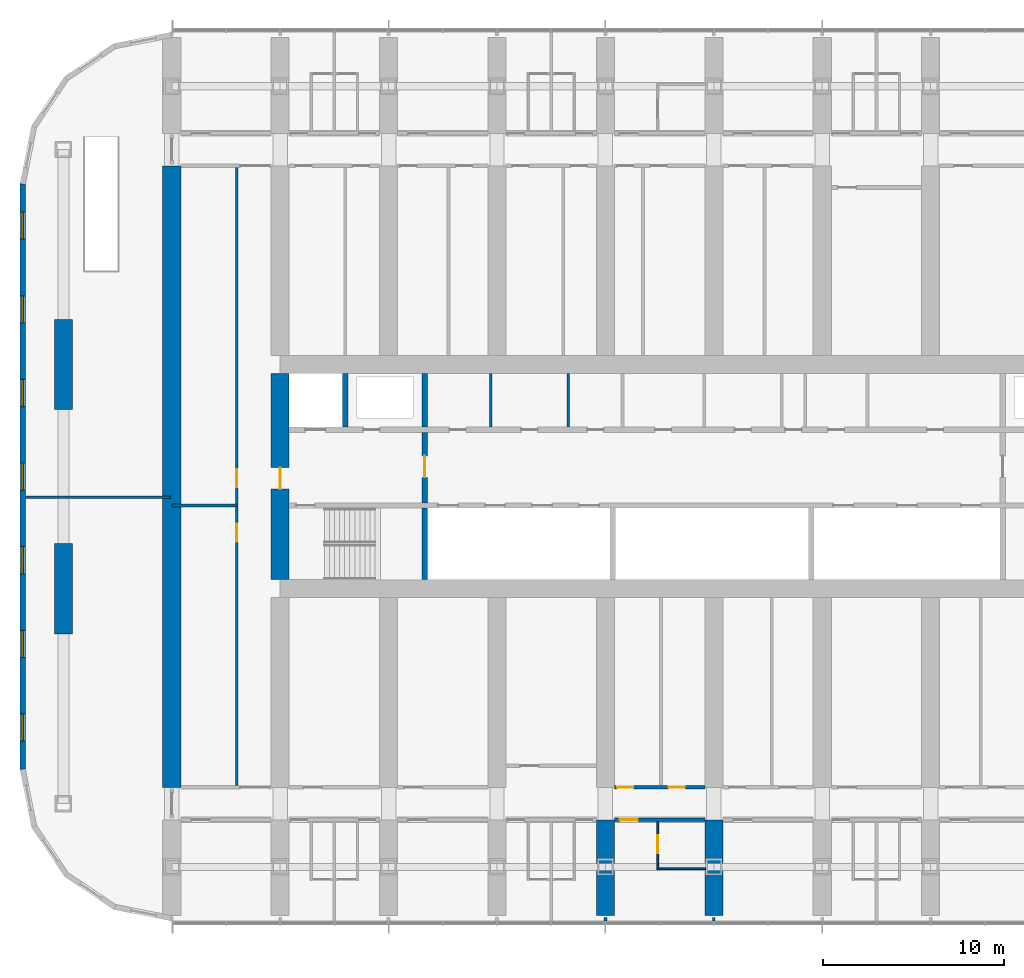
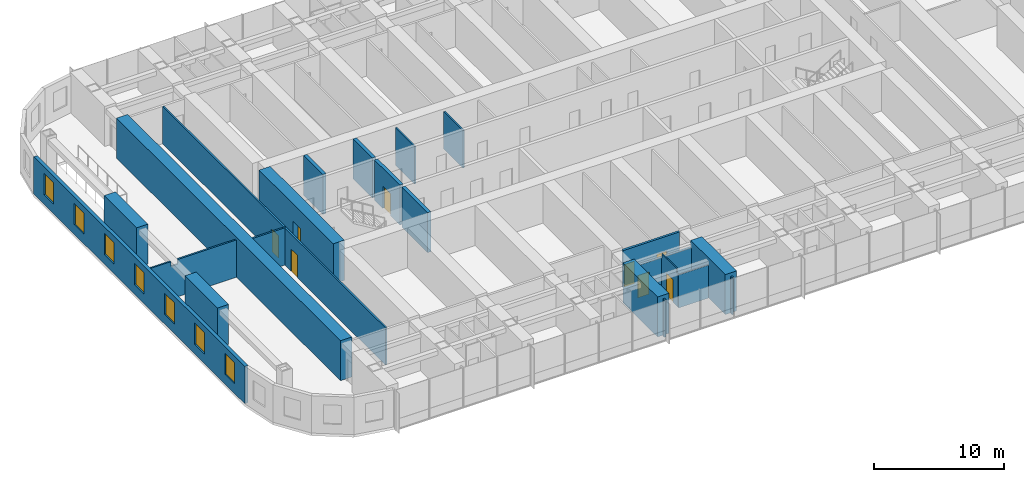
# One storey, part 11 of 22: 22 walls, 8 doors, 7 windows, 15 openings.
"""IFC4 building model written with IfcOpenShell, lengths in metres."""

from ifc_helpers import new_model, si_unit, direction, frame, frame_2d, origin, place, context, subcontext, project, spatial, polyline, rectangle, outline, extrude, material, layer, layer_set, type_object, element, fill, save


model = new_model("IFC4")

# Units and contexts
model_context = context("Model", 3, precision=1e-05, world=origin(), true_north=direction((0.0, 1.0)))
body_context = subcontext(model_context, "Body", "Model", "MODEL_VIEW")
ifc_project = project(units=[si_unit("LENGTHUNIT", "METRE"), si_unit("AREAUNIT", "SQUARE_METRE"), si_unit("VOLUMEUNIT", "CUBIC_METRE"), si_unit("PLANEANGLEUNIT", "RADIAN"), si_unit("MASSUNIT", "GRAM", prefix="KILO")], contexts=[model_context])

# Site, building, storey
site_placement = place(None, origin())
site = spatial("IfcSite", under=ifc_project, at=site_placement, CompositionType="ELEMENT")
building_placement = place(site_placement, origin())
building = spatial("IfcBuilding", under=site, at=building_placement, Name="Orbita Commons", CompositionType="ELEMENT")
storey_placement = place(building_placement, frame((0.0, 0.0, 57.699951171875)))
storey = spatial("IfcBuildingStorey", under=building, at=storey_placement, Name="L14", CompositionType="ELEMENT", Elevation=57.699951171875)

# Wall
ifc_material_1 = material(Name="Concrete C50/60", Category="concrete")
ifc_layer_1 = layer(ifc_material_1, 0.300048828125)
ifc_layer_set_1 = layer_set([ifc_layer_1], Name="Concrete C50/60")
wall_type_1 = type_object("IfcWallType", Name="Core inner wall 300 C50/60", PredefinedType="SHEAR", material=ifc_layer_set_1)
wall_1_placement = place(storey_placement, frame((26.0, 26.300048828125, 0.0), z_axis=(0.0, 0.0, 1.0), x_axis=(0.0, 1.0, 0.0)))
element("IfcWall", 1, at=wall_1_placement, inside=storey, type_object=wall_type_1, Name="Stair S1 wall L14", PredefinedType="SHEAR", context=body_context, shape_type="SweptSolid", body=[
    extrude(rectangle(XDim=3.949951171875, YDim=0.300048828125, at=frame_2d((1.97509765625, 0.0))), origin(), (0.0, 0.0, 1.0), 3.75),
])

# Wall, opening, door
wall_2_placement = place(storey_placement, frame((26.0, 30.550048828125, 0.0), z_axis=(0.0, 0.0, 1.0), x_axis=(0.0, 1.0, 0.0)))
wall_2 = element("IfcWall", 2, at=wall_2_placement, inside=storey, type_object=wall_type_1, Name="Firefighting lobby wall west L14", PredefinedType="SHEAR", context=body_context, shape_type="SweptSolid", body=[
    extrude(rectangle(XDim=3.89990234375, YDim=0.300048828125, at=frame_2d((1.949951171875, 0.0))), origin(), (0.0, 0.0, 1.0), 3.75),
])
opening_1_placement = place(wall_2_placement, frame((1.39990234375, 0.0, 0.0)))
opening_1 = element("IfcOpeningElement", 3, at=opening_1_placement, cuts=wall_2, Name="Opening D04", PredefinedType="OPENING", context=body_context, shape_type="SweptSolid", body=[
    extrude(rectangle(XDim=1.199951171875, YDim=2.10009765625, at=frame_2d((0.60009765625, 1.050048828125))), frame((0.0, 0.159912109375, 0.0), z_axis=(0.0, -1.0, 0.0), x_axis=(1.0, 0.0, 0.0)), (0.0, 0.0, 1.0), 0.320068359375),
])
ifc_material_2 = material(Name="Steel-faced fire door leaf", Category="steel")
door_type_1 = type_object("IfcDoorType", Name="Service door 20 min 1200x2100", OperationType="SINGLE_SWING_LEFT", PredefinedType="DOOR", material=ifc_material_2)
door_1_placement = place(opening_1_placement, origin())
door_1 = element("IfcDoor", 4, at=door_1_placement, inside=storey, type_object=door_type_1, Name="Lift lobby door west", OperationType="SINGLE_SWING_LEFT", OverallHeight=2.10009765625, OverallWidth=1.199951171875, PredefinedType="DOOR", context=body_context, shape_type="SweptSolid", body=[
    extrude(rectangle(XDim=1.199951171875, YDim=2.10009765625, at=frame_2d((0.60009765625, 1.050048828125))), frame((0.0, 0.02490234375, 0.0), z_axis=(0.0, -1.0, 0.0), x_axis=(1.0, 0.0, 0.0)), (0.0, 0.0, 1.0), 0.050048828125),
])
fill(opening_1, door_1)

# Walls
for number, where, z_axis, x_axis, name in (
    (5, (21.60009765625, 34.75, 0.0), (0.0, 0.0, 1.0), (0.0, 1.0, 0.0), "Firefighting lift FL1 shaft wall L14"),
    (6, (26.0, 34.75, 0.0), (0.0, 0.0, 1.0), (0.0, 1.0, 0.0), "Riser wall west L14"),
):
    element("IfcWall", number, at=place(storey_placement, frame(where, z_axis=z_axis, x_axis=x_axis)), inside=storey, type_object=wall_type_1, Name=name, PredefinedType="SHEAR", context=body_context, shape_type="SweptSolid", body=[
        extrude(rectangle(XDim=2.949951171875, YDim=0.300048828125, at=frame_2d((1.47509765625, 0.0))), origin(), (0.0, 0.0, 1.0), 3.75),
    ])
ifc_material_3 = material(Name="Concrete blockwork", Category="masonry")
ifc_layer_2 = layer(ifc_material_3, 0.14990234375)
ifc_layer_set_2 = layer_set([ifc_layer_2], Name="Concrete blockwork")
wall_type_2 = type_object("IfcWallType", Name="Core partition 150 blockwork", PredefinedType="SOLIDWALL", material=ifc_layer_set_2)
for number, where, z_axis, x_axis, name in (
    (7, (29.65087890625, 34.75, 0.0), (0.0, 0.0, 1.0), (0.0, 1.0, 0.0), "Core partition 150 blockwork L14"),
    (8, (33.9462890625, 34.75, 0.0), (0.0, 0.0, 1.0), (0.0, 1.0, 0.0), "Core partition 150 blockwork L14"),
):
    element("IfcWall", number, at=place(storey_placement, frame(where, z_axis=z_axis, x_axis=x_axis)), inside=storey, type_object=wall_type_2, Name=name, PredefinedType="SOLIDWALL", context=body_context, shape_type="SweptSolid", body=[
        extrude(rectangle(XDim=2.949951171875, YDim=0.14990234375, at=frame_2d((1.47509765625, 0.0))), origin(), (0.0, 0.0, 1.0), 3.5),
    ])

# Wall, opening, door
ifc_material_4 = material(Name="Concrete C50/60", Category="concrete")
ifc_layer_3 = layer(ifc_material_4, 1.0)
ifc_layer_set_3 = layer_set([ifc_layer_3], Name="Concrete C50/60")
wall_type_3 = type_object("IfcWallType", Name="Core wall 1000 C50/60", PredefinedType="SHEAR", material=ifc_layer_set_3)
wall_3_placement = place(storey_placement, frame((18.0, 26.300048828125, 0.0), z_axis=(0.0, 0.0, 1.0), x_axis=(0.0, 1.0, 0.0)))
wall_3 = element("IfcWall", 9, at=wall_3_placement, inside=storey, type_object=wall_type_3, Name="Core end wall west L14", PredefinedType="SHEAR", context=body_context, shape_type="SweptSolid", body=[
    extrude(rectangle(XDim=11.39990234375, YDim=1.0, at=frame_2d((5.699951171875, 0.0))), origin(), (0.0, 0.0, 1.0), 3.75),
])
opening_2_placement = place(wall_3_placement, frame((5.0, 0.0, 0.0)))
opening_2 = element("IfcOpeningElement", 10, at=opening_2_placement, cuts=wall_3, Name="Opening D01", PredefinedType="OPENING", context=body_context, shape_type="SweptSolid", body=[
    extrude(rectangle(XDim=1.199951171875, YDim=2.10009765625, at=frame_2d((0.60009765625, 1.050048828125))), frame((0.0, 0.510009765625, 0.0), z_axis=(0.0, -1.0, 0.0), x_axis=(1.0, 0.0, 0.0)), (0.0, 0.0, 1.0), 1.02001953125),
])
ifc_material_5 = material(Name="Steel-faced fire door leaf", Category="steel")
door_type_2 = type_object("IfcDoorType", Name="Fire door 90 min 1200x2100", OperationType="SINGLE_SWING_LEFT", PredefinedType="DOOR", material=ifc_material_5)
door_2_placement = place(opening_2_placement, origin())
door_2 = element("IfcDoor", 11, at=door_2_placement, inside=storey, type_object=door_type_2, Name="Firefighting lobby west door", OperationType="SINGLE_SWING_LEFT", OverallHeight=2.10009765625, OverallWidth=1.199951171875, PredefinedType="DOOR", context=body_context, shape_type="SweptSolid", body=[
    extrude(rectangle(XDim=1.199951171875, YDim=2.10009765625, at=frame_2d((0.60009765625, 1.050048828125))), frame((0.0, 0.02490234375, 0.0), z_axis=(0.0, -1.0, 0.0), x_axis=(1.0, 0.0, 0.0)), (0.0, 0.0, 1.0), 0.050048828125),
])
fill(opening_2, door_2)

ifc_material_6 = material(Name="Concrete blockwork", Category="masonry")
ifc_layer_4 = layer(ifc_material_6, 0.199951171875)
ifc_layer_set_4 = layer_set([ifc_layer_4], Name="Concrete blockwork")
wall_type_4 = type_object("IfcWallType", Name="Corridor wall 200 blockwork", PredefinedType="SOLIDWALL", material=ifc_layer_set_4)
wall_4_placement = place(storey_placement, frame((36.5, 13.0, 0.0), z_axis=(0.0, 0.0, 1.0), x_axis=(1.0, 0.0, 0.0)))
wall_4 = element("IfcWall", 12, at=wall_4_placement, inside=storey, type_object=wall_type_4, Name="Corridor wall 200 blockwork L14", PredefinedType="SOLIDWALL", context=body_context, shape_type="SweptSolid", body=[
    extrude(outline(polyline([(0.0, 0.0), (5.0, 0.0), (5.0, 3.10009765625), (0.0, 3.10009765625), (0.0, 0.0)])), frame((0.0, 0.10009765625, 0.0), z_axis=(0.0, -1.0, 0.0), x_axis=(1.0, 0.0, 0.0)), (0.0, 0.0, 1.0), 0.199951171875),
])
opening_3_placement = place(wall_4_placement, frame((0.300048828125, 0.0, 0.0)))
opening_3 = element("IfcOpeningElement", 13, at=opening_3_placement, cuts=wall_4, Name="Opening D06", PredefinedType="OPENING", context=body_context, shape_type="SweptSolid", body=[
    extrude(rectangle(XDim=1.0, YDim=2.10009765625, at=frame_2d((0.5, 1.050048828125))), frame((0.0, 0.10986328125, 0.0), z_axis=(0.0, -1.0, 0.0), x_axis=(1.0, 0.0, 0.0)), (0.0, 0.0, 1.0), 0.219970703125),
])
ifc_material_7 = material(Name="Steel-faced fire door leaf", Category="steel")
door_type_3 = type_object("IfcDoorType", Name="Corridor door 20 min 1000x2100", OperationType="SINGLE_SWING_LEFT", PredefinedType="DOOR", material=ifc_material_7)
door_3_placement = place(opening_3_placement, origin())
door_3 = element("IfcDoor", 14, at=door_3_placement, inside=storey, type_object=door_type_3, Name="Accessible bedroom L14-S08 door", OperationType="SINGLE_SWING_LEFT", OverallHeight=2.10009765625, OverallWidth=1.0, PredefinedType="DOOR", context=body_context, shape_type="SweptSolid", body=[
    extrude(rectangle(XDim=1.0, YDim=2.10009765625, at=frame_2d((0.5, 1.050048828125))), frame((0.0, 0.02490234375, 0.0), z_axis=(0.0, -1.0, 0.0), x_axis=(1.0, 0.0, 0.0)), (0.0, 0.0, 1.0), 0.050048828125),
])
fill(opening_3, door_3)

# Wall, openings, doors
ifc_material_8 = material(Name="Hollow concrete block 200", Category="concrete")
ifc_layer_5 = layer(ifc_material_8, 0.199951171875)
ifc_layer_set_5 = layer_set([ifc_layer_5], Name="Hollow concrete block 200")
wall_type_5 = type_object("IfcWallType", Name="Corridor wall 200 hollow concrete block", PredefinedType="SOLIDWALL", material=ifc_layer_set_5)
wall_5_placement = place(storey_placement, frame((36.5, 14.800048828125, 0.0), z_axis=(0.0, 0.0, 1.0), x_axis=(1.0, 0.0, 0.0)))
wall_5 = element("IfcWall", 15, at=wall_5_placement, inside=storey, type_object=wall_type_5, Name="Corridor wall 200 hollow concrete block L14", PredefinedType="SOLIDWALL", context=body_context, shape_type="SweptSolid", body=[
    extrude(rectangle(XDim=5.0, YDim=0.199951171875, at=frame_2d((2.5, 0.0))), origin(), (0.0, 0.0, 1.0), 3.5),
])
opening_4_placement = place(wall_5_placement, frame((0.14990234375, 0.0, 0.0)))
opening_4 = element("IfcOpeningElement", 16, at=opening_4_placement, cuts=wall_5, Name="Opening D11", PredefinedType="OPENING", context=body_context, shape_type="SweptSolid", body=[
    extrude(rectangle(XDim=0.89990234375, YDim=2.10009765625, at=frame_2d((0.449951171875, 1.050048828125))), frame((0.0, 0.10986328125, 0.0), z_axis=(0.0, -1.0, 0.0), x_axis=(1.0, 0.0, 0.0)), (0.0, 0.0, 1.0), 0.219970703125),
])
opening_5_placement = place(wall_5_placement, frame((3.0, 0.0, 0.0)))
opening_5 = element("IfcOpeningElement", 17, at=opening_5_placement, cuts=wall_5, Name="Opening D11", PredefinedType="OPENING", context=body_context, shape_type="SweptSolid", body=[
    extrude(rectangle(XDim=0.89990234375, YDim=2.10009765625, at=frame_2d((0.449951171875, 1.050048828125))), frame((0.0, 0.10986328125, 0.0), z_axis=(0.0, -1.0, 0.0), x_axis=(1.0, 0.0, 0.0)), (0.0, 0.0, 1.0), 0.219970703125),
])
ifc_material_9 = material(Name="Steel-faced fire door leaf", Category="steel")
door_type_4 = type_object("IfcDoorType", Name="Corridor door 20 min 900x2100", OperationType="SINGLE_SWING_LEFT", PredefinedType="DOOR", material=ifc_material_9)
door_4_placement = place(opening_4_placement, origin())
door_4 = element("IfcDoor", 18, at=door_4_placement, inside=storey, type_object=door_type_4, Name="Water heater cupboard L14-BDS36n door", OperationType="SINGLE_SWING_LEFT", OverallHeight=2.10009765625, OverallWidth=0.89990234375, PredefinedType="DOOR", context=body_context, shape_type="SweptSolid", body=[
    extrude(rectangle(XDim=0.89990234375, YDim=2.10009765625, at=frame_2d((0.449951171875, 1.050048828125))), frame((0.0, 0.02490234375, 0.0), z_axis=(0.0, -1.0, 0.0), x_axis=(1.0, 0.0, 0.0)), (0.0, 0.0, 1.0), 0.050048828125),
])
fill(opening_4, door_4)
door_5_placement = place(opening_5_placement, origin())
door_5 = element("IfcDoor", 19, at=door_5_placement, inside=storey, type_object=door_type_4, Name="Bicycle repair workshop L14-BDS36 door", OperationType="SINGLE_SWING_LEFT", OverallHeight=2.10009765625, OverallWidth=0.89990234375, PredefinedType="DOOR", context=body_context, shape_type="SweptSolid", body=[
    extrude(rectangle(XDim=0.89990234375, YDim=2.10009765625, at=frame_2d((0.449951171875, 1.050048828125))), frame((0.0, 0.02490234375, 0.0), z_axis=(0.0, -1.0, 0.0), x_axis=(1.0, 0.0, 0.0)), (0.0, 0.0, 1.0), 0.050048828125),
])
fill(opening_5, door_5)

# Walls
ifc_material_10 = material(Name="Concrete C50/60", Category="concrete")
ifc_layer_6 = layer(ifc_material_10, 1.0)
ifc_layer_set_6 = layer_set([ifc_layer_6], Name="Concrete C50/60")
wall_type_6 = type_object("IfcWallType", Name="Cross wall 1000 C50/60", PredefinedType="SHEAR", material=ifc_layer_set_6)
wall_6_placement = place(storey_placement, frame((12.0, 14.800048828125, 0.0), z_axis=(0.0, 0.0, 1.0), x_axis=(0.0, 1.0, 0.0)))
element("IfcWall", 20, at=wall_6_placement, inside=storey, type_object=wall_type_6, Name="Cross wall 3 inner L14", PredefinedType="SHEAR", context=body_context, shape_type="SweptSolid", body=[
    extrude(rectangle(XDim=34.39990234375, YDim=1.0, at=frame_2d((17.199951171875, 0.0))), origin(), (0.0, 0.0, 1.0), 3.75),
])
for number, where, z_axis, x_axis, name in (
    (21, (36.0, 7.699951171875, 0.0), (0.0, 0.0, 1.0), (0.0, 1.0, 0.0), "Cross wall 7 south outer L14"),
    (22, (42.0, 7.699951171875, 0.0), (0.0, 0.0, 1.0), (0.0, 1.0, 0.0), "Cross wall 8 south outer L14"),
):
    element("IfcWall", number, at=place(storey_placement, frame(where, z_axis=z_axis, x_axis=x_axis)), inside=storey, type_object=wall_type_6, Name=name, PredefinedType="SHEAR", context=body_context, shape_type="SweptSolid", body=[
        extrude(rectangle(XDim=5.300048828125, YDim=1.0, at=frame_2d((2.64990234375, 0.0))), origin(), (0.0, 0.0, 1.0), 3.75),
    ])
ifc_material_11 = material(Name="Moisture-resistant plasterboard on steel studs", Category="steel")
ifc_layer_7 = layer(ifc_material_11, 0.10009765625)
ifc_layer_set_7 = layer_set([ifc_layer_7], Name="Moisture-resistant plasterboard on steel studs")
wall_type_7 = type_object("IfcWallType", Name="En-suite partition 100", PredefinedType="PARTITIONING", material=ifc_layer_set_7)
wall_7_placement = place(storey_placement, frame((38.85009765625, 10.300048828125, 0.0), z_axis=(0.0, 0.0, 1.0), x_axis=(1.0, 0.0, 0.0)))
element("IfcWall", 23, at=wall_7_placement, inside=storey, type_object=wall_type_7, Name="En-suite partition 100 L14", PredefinedType="PARTITIONING", context=body_context, shape_type="SweptSolid", body=[
    extrude(outline(polyline([(0.0, 0.0), (2.699951171875, 0.0), (2.699951171875, 3.10009765625), (0.0, 3.10009765625), (0.0, 0.0)])), frame((0.0, 0.050048828125, 0.0), z_axis=(0.0, -1.0, 0.0), x_axis=(1.0, 0.0, 0.0)), (0.0, 0.0, 1.0), 0.10009765625),
])

# Wall, opening, door
wall_8_placement = place(storey_placement, frame((38.89990234375, 10.35009765625, 0.0), z_axis=(0.0, 0.0, 1.0), x_axis=(0.0, 1.0, 0.0)))
wall_8 = element("IfcWall", 24, at=wall_8_placement, inside=storey, type_object=wall_type_7, Name="En-suite partition 100 L14", PredefinedType="PARTITIONING", context=body_context, shape_type="SweptSolid", body=[
    extrude(outline(polyline([(0.0, 0.0), (2.5498046875, 0.0), (2.550048828125, 3.10009765625), (2.501953125, 3.10009765625), (2.5, 3.5), (0.251953125, 3.5), (0.25, 3.10009765625), (0.0, 3.10009765625), (0.0, 0.0)])), frame((0.0, 0.050048828125, 0.0), z_axis=(0.0, -1.0, 0.0), x_axis=(1.0, 0.0, 0.0)), (0.0, 0.0, 1.0), 0.10009765625),
])
opening_6_placement = place(wall_8_placement, frame((0.800048828125, 0.0, 0.0)))
opening_6 = element("IfcOpeningElement", 25, at=opening_6_placement, cuts=wall_8, Name="Opening D13", PredefinedType="OPENING", context=body_context, shape_type="SweptSolid", body=[
    extrude(rectangle(XDim=1.0, YDim=2.10009765625, at=frame_2d((0.5, 1.050048828125))), frame((0.0, 0.06005859375, 0.0), z_axis=(0.0, -1.0, 0.0), x_axis=(1.0, 0.0, 0.0)), (0.0, 0.0, 1.0), 0.1201171875),
])
ifc_material_12 = material(Name="Laminated timber door leaf", Category="wood")
door_type_5 = type_object("IfcDoorType", Name="En-suite door 1000x2100", OperationType="SINGLE_SWING_RIGHT", PredefinedType="DOOR", material=ifc_material_12)
door_6_placement = place(opening_6_placement, origin())
door_6 = element("IfcDoor", 26, at=door_6_placement, inside=storey, type_object=door_type_5, Name="Accessible shower room L14-S08 door", OperationType="SINGLE_SWING_RIGHT", OverallHeight=2.10009765625, OverallWidth=1.0, PredefinedType="DOOR", context=body_context, shape_type="SweptSolid", body=[
    extrude(rectangle(XDim=1.0, YDim=2.10009765625, at=frame_2d((0.5, 1.050048828125))), frame((0.0, 0.02490234375, 0.0), z_axis=(0.0, -1.0, 0.0), x_axis=(1.0, 0.0, 0.0)), (0.0, 0.0, 1.0), 0.050048828125),
])
fill(opening_6, door_6)

# Walls
ifc_material_13 = material(Name="Concrete C50/60", Category="concrete")
ifc_layer_8 = layer(ifc_material_13, 1.0)
ifc_layer_set_8 = layer_set([ifc_layer_8], Name="Concrete C50/60")
wall_type_8 = type_object("IfcWallType", Name="End pier 1000x5000 C50/60", PredefinedType="SHEAR", material=ifc_layer_set_8)
for number, where, z_axis, x_axis, name in (
    (27, (6.0, 23.300048828125, 0.0), (0.0, 0.0, 1.0), (0.0, 1.0, 0.0), "End pier 2/C L14"),
    (28, (6.0, 35.699951171875, 0.0), (0.0, 0.0, 1.0), (0.0, 1.0, 0.0), "End pier 2/D L14"),
):
    element("IfcWall", number, at=place(storey_placement, frame(where, z_axis=z_axis, x_axis=x_axis)), inside=storey, type_object=wall_type_8, Name=name, PredefinedType="SHEAR", context=body_context, shape_type="SweptSolid", body=[
        extrude(rectangle(XDim=5.0, YDim=1.0, at=frame_2d((2.5, 0.0))), origin(), (0.0, 0.0, 1.0), 3.75),
    ])

# Wall, openings, doors
ifc_material_14 = material(Name="Gypsum plasterboard on steel studs", Category="steel")
ifc_layer_9 = layer(ifc_material_14, 0.14990234375)
ifc_layer_set_9 = layer_set([ifc_layer_9], Name="Gypsum plasterboard on steel studs")
wall_type_9 = type_object("IfcWallType", Name="Partition 150 plasterboard", PredefinedType="PARTITIONING", material=ifc_layer_set_9)
wall_9_placement = place(storey_placement, frame((15.60009765625, 14.89990234375, 0.0), z_axis=(0.0, 0.0, 1.0), x_axis=(0.0, 1.0, 0.0)))
wall_9 = element("IfcWall", 29, at=wall_9_placement, inside=storey, type_object=wall_type_9, Name="Partition 150 plasterboard L14", PredefinedType="PARTITIONING", context=body_context, shape_type="SweptSolid", body=[
    extrude(rectangle(XDim=34.2001953125, YDim=0.14990234375, at=frame_2d((17.10009765625, 0.0))), origin(), (0.0, 0.0, 1.0), 3.5),
])
opening_7_placement = place(wall_9_placement, frame((13.5, 0.0, 0.0)))
opening_7 = element("IfcOpeningElement", 30, at=opening_7_placement, cuts=wall_9, Name="Opening D06", PredefinedType="OPENING", context=body_context, shape_type="SweptSolid", body=[
    extrude(rectangle(XDim=1.0, YDim=2.10009765625, at=frame_2d((0.5, 1.050048828125))), frame((0.0, 0.0849609375, 0.0), z_axis=(0.0, -1.0, 0.0), x_axis=(1.0, 0.0, 0.0)), (0.0, 0.0, 1.0), 0.169921875),
])
opening_8_placement = place(wall_9_placement, frame((16.5, 0.0, 0.0)))
opening_8 = element("IfcOpeningElement", 31, at=opening_8_placement, cuts=wall_9, Name="Opening D06", PredefinedType="OPENING", context=body_context, shape_type="SweptSolid", body=[
    extrude(rectangle(XDim=1.0, YDim=2.10009765625, at=frame_2d((0.5, 1.050048828125))), frame((0.0, 0.0849609375, 0.0), z_axis=(0.0, -1.0, 0.0), x_axis=(1.0, 0.0, 0.0)), (0.0, 0.0, 1.0), 0.169921875),
])
door_7_placement = place(opening_7_placement, origin())
door_7 = element("IfcDoor", 32, at=door_7_placement, inside=storey, type_object=door_type_3, Name="Interview room door", OperationType="SINGLE_SWING_LEFT", OverallHeight=2.10009765625, OverallWidth=1.0, PredefinedType="DOOR", context=body_context, shape_type="SweptSolid", body=[
    extrude(rectangle(XDim=1.0, YDim=2.10009765625, at=frame_2d((0.5, 1.050048828125))), frame((0.0, 0.02490234375, 0.0), z_axis=(0.0, -1.0, 0.0), x_axis=(1.0, 0.0, 0.0)), (0.0, 0.0, 1.0), 0.050048828125),
])
fill(opening_7, door_7)
door_8_placement = place(opening_8_placement, origin())
door_8 = element("IfcDoor", 33, at=door_8_placement, inside=storey, type_object=door_type_3, Name="Residents' storage room door", OperationType="SINGLE_SWING_LEFT", OverallHeight=2.10009765625, OverallWidth=1.0, PredefinedType="DOOR", context=body_context, shape_type="SweptSolid", body=[
    extrude(rectangle(XDim=1.0, YDim=2.10009765625, at=frame_2d((0.5, 1.050048828125))), frame((0.0, 0.02490234375, 0.0), z_axis=(0.0, -1.0, 0.0), x_axis=(1.0, 0.0, 0.0)), (0.0, 0.0, 1.0), 0.050048828125),
])
fill(opening_8, door_8)

# Walls
wall_10_placement = place(storey_placement, frame((12.0, 30.39990234375, 0.0), z_axis=(0.0, 0.0, 1.0), x_axis=(1.0, 0.0, 0.0)))
element("IfcWall", 34, at=wall_10_placement, inside=storey, type_object=wall_type_9, Name="Partition 150 plasterboard L14", PredefinedType="PARTITIONING", context=body_context, shape_type="SweptSolid", body=[
    extrude(rectangle(XDim=3.60009765625, YDim=0.14990234375, at=frame_2d((1.800048828125, 0.0))), origin(), (0.0, 0.0, 1.0), 3.5),
])
wall_11_placement = place(storey_placement, frame((3.905029296875, 30.85009765625, 0.0), z_axis=(0.0, 0.0, 1.0), x_axis=(1.0, 0.0, 0.0)))
element("IfcWall", 35, at=wall_11_placement, inside=storey, type_object=wall_type_9, Name="Partition 150 plasterboard L14", PredefinedType="PARTITIONING", context=body_context, shape_type="SweptSolid", body=[
    extrude(outline(polyline([(0.0, 0.0), (8.02001953125, 0.0), (8.02001953125, 3.5), (2.39697265625, 3.5), (2.39501953125, 3.050048828125), (1.797119140625, 3.050048828125), (1.794921875, 3.5), (0.0, 3.5), (0.0, 0.0)])), frame((0.0, 0.074951171875, 0.0), z_axis=(0.0, -1.0, 0.0), x_axis=(1.0, 0.0, 0.0)), (0.0, 0.0, 1.0), 0.14990234375),
])
for number, where, z_axis, x_axis, name in (
    (36, (36.0, 7.60009765625, 0.0), (0.0, 0.0, 1.0), (0.0, -1.0, 0.0), "Partition 150 plasterboard L14"),
    (37, (42.0, 7.60009765625, 0.0), (0.0, 0.0, 1.0), (0.0, -1.0, 0.0), "Partition 150 plasterboard L14"),
):
    element("IfcWall", number, at=place(storey_placement, frame(where, z_axis=z_axis, x_axis=x_axis)), inside=storey, type_object=wall_type_9, Name=name, PredefinedType="PARTITIONING", context=body_context, shape_type="SweptSolid", body=[
        extrude(rectangle(XDim=0.190185546875, YDim=0.14990234375, at=frame_2d((0.09521484375, 0.0))), origin(), (0.0, 0.0, 1.0), 3.5),
    ])

# Wall, openings, windows
ifc_material_15 = material(Name="Precast concrete C40/50, white board-marked finish", Category="concrete")
ifc_layer_10 = layer(ifc_material_15, 0.300048828125)
ifc_layer_set_10 = layer_set([ifc_layer_10], Name="Precast concrete C40/50, white board-marked finish")
wall_type_10 = type_object("IfcWallType", Name="Precast concrete end shield 300", PredefinedType="SOLIDWALL", material=ifc_layer_set_10)
wall_12_placement = place(storey_placement, frame((3.75, 48.199951171875, 0.0), z_axis=(0.0, 0.0, 1.0), x_axis=(0.0, -1.0, 0.0)))
wall_12 = element("IfcWall", 38, at=wall_12_placement, inside=storey, type_object=wall_type_10, Name="End shield W L14", PredefinedType="SOLIDWALL", context=body_context, shape_type="SweptSolid", body=[
    extrude(outline(polyline([(-0.014892578125, -0.14990234375), (32.414794921875, -0.14990234375), (32.385009765625, 0.14990234375), (0.014892578125, 0.14990234375), (-0.014892578125, -0.14990234375)])), origin(), (0.0, 0.0, 1.0), 3.5),
])
opening_9_placement = place(wall_12_placement, frame((1.564208984375, 0.0, 0.89990234375)))
opening_9 = element("IfcOpeningElement", 39, at=opening_9_placement, cuts=wall_12, Name="Opening W01", PredefinedType="OPENING", context=body_context, shape_type="SweptSolid", body=[
    extrude(rectangle(XDim=1.5, YDim=2.0, at=frame_2d((0.75, 1.0))), frame((0.0, 0.159912109375, 0.0), z_axis=(0.0, -1.0, 0.0), x_axis=(1.0, 0.0, 0.0)), (0.0, 0.0, 1.0), 0.320068359375),
])
opening_10_placement = place(wall_12_placement, frame((6.19287109375, 0.0, 0.89990234375)))
opening_10 = element("IfcOpeningElement", 40, at=opening_10_placement, cuts=wall_12, Name="Opening W01", PredefinedType="OPENING", context=body_context, shape_type="SweptSolid", body=[
    extrude(rectangle(XDim=1.5, YDim=2.0, at=frame_2d((0.75, 1.0))), frame((0.0, 0.159912109375, 0.0), z_axis=(0.0, -1.0, 0.0), x_axis=(1.0, 0.0, 0.0)), (0.0, 0.0, 1.0), 0.320068359375),
])
opening_11_placement = place(wall_12_placement, frame((10.821533203125, 0.0, 0.89990234375)))
opening_11 = element("IfcOpeningElement", 41, at=opening_11_placement, cuts=wall_12, Name="Opening W01", PredefinedType="OPENING", context=body_context, shape_type="SweptSolid", body=[
    extrude(rectangle(XDim=1.5, YDim=2.0, at=frame_2d((0.75, 1.0))), frame((0.0, 0.159912109375, 0.0), z_axis=(0.0, -1.0, 0.0), x_axis=(1.0, 0.0, 0.0)), (0.0, 0.0, 1.0), 0.320068359375),
])
opening_12_placement = place(wall_12_placement, frame((15.449951171875, 0.0, 0.89990234375)))
opening_12 = element("IfcOpeningElement", 42, at=opening_12_placement, cuts=wall_12, Name="Opening W01", PredefinedType="OPENING", context=body_context, shape_type="SweptSolid", body=[
    extrude(rectangle(XDim=1.5, YDim=2.0, at=frame_2d((0.75, 1.0))), frame((0.0, 0.159912109375, 0.0), z_axis=(0.0, -1.0, 0.0), x_axis=(1.0, 0.0, 0.0)), (0.0, 0.0, 1.0), 0.320068359375),
])
opening_13_placement = place(wall_12_placement, frame((20.07861328125, 0.0, 0.89990234375)))
opening_13 = element("IfcOpeningElement", 43, at=opening_13_placement, cuts=wall_12, Name="Opening W01", PredefinedType="OPENING", context=body_context, shape_type="SweptSolid", body=[
    extrude(rectangle(XDim=1.5, YDim=2.0, at=frame_2d((0.75, 1.0))), frame((0.0, 0.159912109375, 0.0), z_axis=(0.0, -1.0, 0.0), x_axis=(1.0, 0.0, 0.0)), (0.0, 0.0, 1.0), 0.320068359375),
])
opening_14_placement = place(wall_12_placement, frame((24.70703125, 0.0, 0.89990234375)))
opening_14 = element("IfcOpeningElement", 44, at=opening_14_placement, cuts=wall_12, Name="Opening W01", PredefinedType="OPENING", context=body_context, shape_type="SweptSolid", body=[
    extrude(rectangle(XDim=1.5, YDim=2.0, at=frame_2d((0.75, 1.0))), frame((0.0, 0.159912109375, 0.0), z_axis=(0.0, -1.0, 0.0), x_axis=(1.0, 0.0, 0.0)), (0.0, 0.0, 1.0), 0.320068359375),
])
opening_15_placement = place(wall_12_placement, frame((29.335693359375, 0.0, 0.89990234375)))
opening_15 = element("IfcOpeningElement", 45, at=opening_15_placement, cuts=wall_12, Name="Opening W01", PredefinedType="OPENING", context=body_context, shape_type="SweptSolid", body=[
    extrude(rectangle(XDim=1.5, YDim=2.0, at=frame_2d((0.75, 1.0))), frame((0.0, 0.159912109375, 0.0), z_axis=(0.0, -1.0, 0.0), x_axis=(1.0, 0.0, 0.0)), (0.0, 0.0, 1.0), 0.320068359375),
])
ifc_material_16 = material(Name="Aluminium frame, clear double glazing", Category="aluminium")
window_type = type_object("IfcWindowType", Name="Deep-set window 1500x2000", PartitioningType="SINGLE_PANEL", PredefinedType="WINDOW", material=ifc_material_16)
window_1_placement = place(opening_9_placement, origin())
window_1 = element("IfcWindow", 46, at=window_1_placement, inside=storey, type_object=window_type, Name="Window L14-W 1", OverallHeight=2.0, OverallWidth=1.5, PartitioningType="SINGLE_PANEL", PredefinedType="WINDOW", context=body_context, shape_type="SweptSolid", body=[
    extrude(rectangle(XDim=1.5, YDim=2.0, at=frame_2d((0.75, 1.0))), frame((0.0, 0.030029296875, 0.0), z_axis=(0.0, -1.0, 0.0), x_axis=(1.0, 0.0, 0.0)), (0.0, 0.0, 1.0), 0.06005859375),
])
fill(opening_9, window_1)
window_2_placement = place(opening_10_placement, origin())
window_2 = element("IfcWindow", 47, at=window_2_placement, inside=storey, type_object=window_type, Name="Window L14-W 2", OverallHeight=2.0, OverallWidth=1.5, PartitioningType="SINGLE_PANEL", PredefinedType="WINDOW", context=body_context, shape_type="SweptSolid", body=[
    extrude(rectangle(XDim=1.5, YDim=2.0, at=frame_2d((0.75, 1.0))), frame((0.0, 0.030029296875, 0.0), z_axis=(0.0, -1.0, 0.0), x_axis=(1.0, 0.0, 0.0)), (0.0, 0.0, 1.0), 0.06005859375),
])
fill(opening_10, window_2)
window_3_placement = place(opening_11_placement, origin())
window_3 = element("IfcWindow", 48, at=window_3_placement, inside=storey, type_object=window_type, Name="Window L14-W 3", OverallHeight=2.0, OverallWidth=1.5, PartitioningType="SINGLE_PANEL", PredefinedType="WINDOW", context=body_context, shape_type="SweptSolid", body=[
    extrude(rectangle(XDim=1.5, YDim=2.0, at=frame_2d((0.75, 1.0))), frame((0.0, 0.030029296875, 0.0), z_axis=(0.0, -1.0, 0.0), x_axis=(1.0, 0.0, 0.0)), (0.0, 0.0, 1.0), 0.06005859375),
])
fill(opening_11, window_3)
window_4_placement = place(opening_12_placement, origin())
window_4 = element("IfcWindow", 49, at=window_4_placement, inside=storey, type_object=window_type, Name="Window L14-W 4", OverallHeight=2.0, OverallWidth=1.5, PartitioningType="SINGLE_PANEL", PredefinedType="WINDOW", context=body_context, shape_type="SweptSolid", body=[
    extrude(rectangle(XDim=1.5, YDim=2.0, at=frame_2d((0.75, 1.0))), frame((0.0, 0.030029296875, 0.0), z_axis=(0.0, -1.0, 0.0), x_axis=(1.0, 0.0, 0.0)), (0.0, 0.0, 1.0), 0.06005859375),
])
fill(opening_12, window_4)
window_5_placement = place(opening_13_placement, origin())
window_5 = element("IfcWindow", 50, at=window_5_placement, inside=storey, type_object=window_type, Name="Window L14-W 5", OverallHeight=2.0, OverallWidth=1.5, PartitioningType="SINGLE_PANEL", PredefinedType="WINDOW", context=body_context, shape_type="SweptSolid", body=[
    extrude(rectangle(XDim=1.5, YDim=2.0, at=frame_2d((0.75, 1.0))), frame((0.0, 0.030029296875, 0.0), z_axis=(0.0, -1.0, 0.0), x_axis=(1.0, 0.0, 0.0)), (0.0, 0.0, 1.0), 0.06005859375),
])
fill(opening_13, window_5)
window_6_placement = place(opening_14_placement, origin())
window_6 = element("IfcWindow", 51, at=window_6_placement, inside=storey, type_object=window_type, Name="Window L14-W 6", OverallHeight=2.0, OverallWidth=1.5, PartitioningType="SINGLE_PANEL", PredefinedType="WINDOW", context=body_context, shape_type="SweptSolid", body=[
    extrude(rectangle(XDim=1.5, YDim=2.0, at=frame_2d((0.75, 1.0))), frame((0.0, 0.030029296875, 0.0), z_axis=(0.0, -1.0, 0.0), x_axis=(1.0, 0.0, 0.0)), (0.0, 0.0, 1.0), 0.06005859375),
])
fill(opening_14, window_6)
window_7_placement = place(opening_15_placement, origin())
window_7 = element("IfcWindow", 52, at=window_7_placement, inside=storey, type_object=window_type, Name="Window L14-W 7", OverallHeight=2.0, OverallWidth=1.5, PartitioningType="SINGLE_PANEL", PredefinedType="WINDOW", context=body_context, shape_type="SweptSolid", body=[
    extrude(rectangle(XDim=1.5, YDim=2.0, at=frame_2d((0.75, 1.0))), frame((0.0, 0.030029296875, 0.0), z_axis=(0.0, -1.0, 0.0), x_axis=(1.0, 0.0, 0.0)), (0.0, 0.0, 1.0), 0.06005859375),
])
fill(opening_15, window_7)

save(model, "model.ifc")
